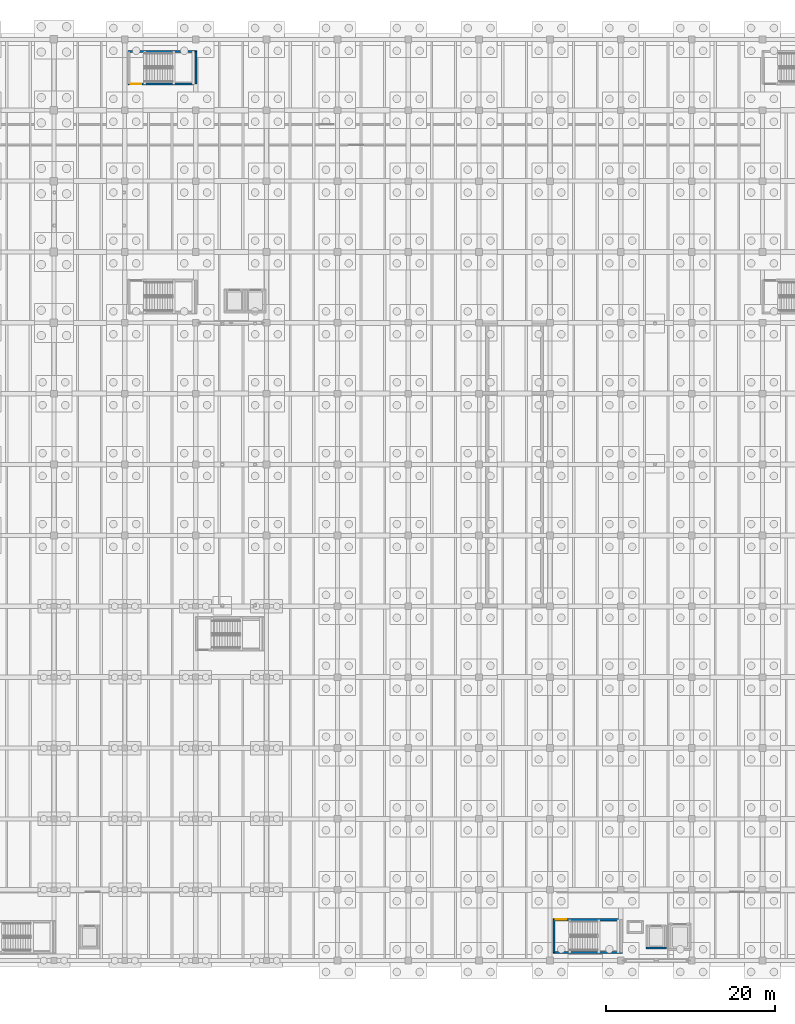
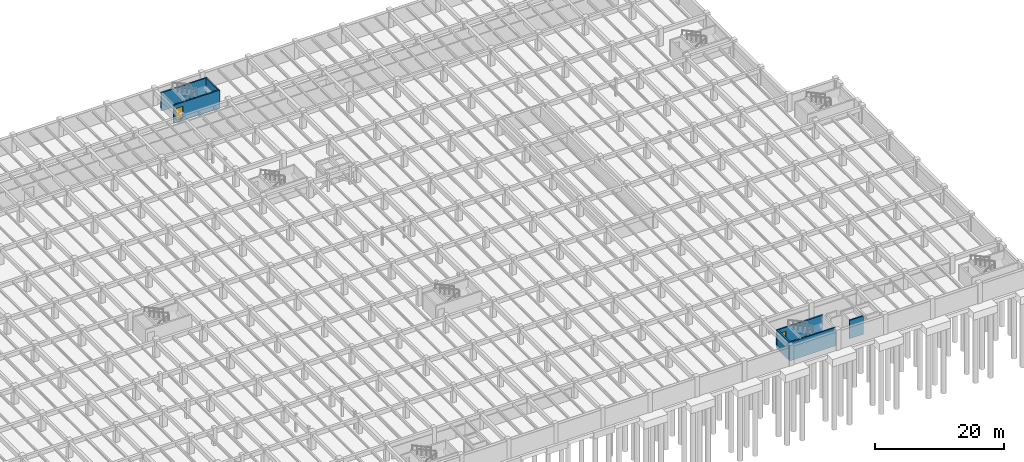
# One storey, part 50 of 70: 7 walls, 2 doors, 2 openings.
"""IFC4 building model written with IfcOpenShell, lengths in metres."""

from ifc_helpers import new_model, si_unit, direction, frame, frame_2d, origin, place, context, subcontext, project, spatial, rectangle, extrude, material, layer, layer_set, type_object, element, fill, save


model = new_model("IFC4")

# Units and contexts
model_context = context("Model", 3, precision=1e-05, world=origin(), true_north=direction((0.0, 1.0)))
body_context = subcontext(model_context, "Body", "Model", "MODEL_VIEW")
ifc_project = project(units=[si_unit("LENGTHUNIT", "METRE"), si_unit("AREAUNIT", "SQUARE_METRE"), si_unit("VOLUMEUNIT", "CUBIC_METRE"), si_unit("PLANEANGLEUNIT", "RADIAN"), si_unit("MASSUNIT", "GRAM", prefix="KILO")], contexts=[model_context])

# Site, building, storey
site_placement = place(None, origin())
site = spatial("IfcSite", under=ifc_project, at=site_placement, CompositionType="ELEMENT")
building_placement = place(site_placement, origin())
building = spatial("IfcBuilding", under=site, at=building_placement, Name="Cumbredor Promenade Congress Hotel", CompositionType="ELEMENT")
storey_placement = place(building_placement, frame((0.0, 0.0, -7.56005859375)))
storey = spatial("IfcBuildingStorey", under=building, at=storey_placement, Name="B02", CompositionType="ELEMENT", Elevation=-7.56005859375)

# Wall
ifc_material_1 = material(Name="Concrete C40/50", Category="concrete")
ifc_layer = layer(ifc_material_1, 0.2548828125, Name="Concrete C40/50", Category="concrete")
ifc_layer_set = layer_set([ifc_layer], Name="Concrete C40/50")
wall_type = type_object("IfcWallType", Name="WL-SHAFT-250", PredefinedType="SOLIDWALL", material=ifc_layer_set)
wall_1_placement = place(storey_placement, frame((143.152587890625, 9.3798828125, -0.5), z_axis=(0.0, 0.0, 1.0), x_axis=(1.0, 0.0, 0.0)))
element("IfcWall", 1, at=wall_1_placement, inside=storey, type_object=wall_type, Name="STAIR-ST-08-B02 Shaft Wall South", PredefinedType="SOLIDWALL", context=body_context, shape_type="SweptSolid", body=[
    extrude(rectangle(XDim=8.224853515625, YDim=0.2548828125, at=frame_2d((4.1123046875, 0.0))), origin(), (0.0, 0.0, 1.0), 3.4599609375),
])

# Wall, opening, door
wall_2_placement = place(storey_placement, frame((143.152587890625, 13.25, -0.5), z_axis=(0.0, 0.0, 1.0), x_axis=(1.0, 0.0, 0.0)))
wall_2 = element("IfcWall", 2, at=wall_2_placement, inside=storey, type_object=wall_type, Name="STAIR-ST-08-B02 Shaft Wall North", PredefinedType="SOLIDWALL", context=body_context, shape_type="SweptSolid", body=[
    extrude(rectangle(XDim=8.224853515625, YDim=0.2548828125, at=frame_2d((4.1123046875, 0.0))), origin(), (0.0, 0.0, 1.0), 3.4599609375),
])
opening_1_placement = place(wall_2_placement, frame((0.35009765625, 0.0, 0.5)))
opening_1 = element("IfcOpeningElement", 3, at=opening_1_placement, cuts=wall_2, Name="Opening SD-02", PredefinedType="OPENING", context=body_context, shape_type="SweptSolid", body=[
    extrude(rectangle(XDim=1.25, YDim=2.199951171875, at=frame_2d((0.625, 1.10009765625))), frame((0.0, 0.137451171875, 0.0), z_axis=(0.0, -1.0, 0.0), x_axis=(1.0, 0.0, 0.0)), (0.0, 0.0, 1.0), 0.27490234375),
])
ifc_material_2 = material(Name="Painted galvanized steel fire door", Category="steel")
door_type = type_object("IfcDoorType", Name="DR-STAIR-FD90-1250", OperationType="NOTDEFINED", PredefinedType="DOOR", material=ifc_material_2)
door_1_placement = place(opening_1_placement, origin())
door_1 = element("IfcDoor", 4, at=door_1_placement, inside=storey, type_object=door_type, Name="B02 Protected Exit Stair ST-08 Door", OperationType="SINGLE_SWING_LEFT", OverallHeight=2.199951171875, OverallWidth=1.25, PredefinedType="DOOR", context=body_context, shape_type="SweptSolid", body=[
    extrude(rectangle(XDim=1.25, YDim=2.199951171875, at=frame_2d((0.625, 1.10009765625))), frame((0.0, 0.02490234375, 0.0), z_axis=(0.0, -1.0, 0.0), x_axis=(1.0, 0.0, 0.0)), (0.0, 0.0, 1.0), 0.050048828125),
])
fill(opening_1, door_1)

# Wall
wall_3_placement = place(storey_placement, frame((143.280029296875, 9.3798828125, -0.5), z_axis=(0.0, 0.0, 1.0), x_axis=(0.0, 1.0, 0.0)))
element("IfcWall", 5, at=wall_3_placement, inside=storey, type_object=wall_type, Name="STAIR-ST-08-B02 Shaft Wall West", PredefinedType="SOLIDWALL", context=body_context, shape_type="SweptSolid", body=[
    extrude(rectangle(XDim=3.8701171875, YDim=0.2548828125, at=frame_2d((1.93505859375, 0.0))), origin(), (0.0, 0.0, 1.0), 3.4599609375),
])

# Wall, opening, door
wall_4_placement = place(storey_placement, frame((92.75244140625, 112.300048828125, -0.5), z_axis=(0.0, 0.0, 1.0), x_axis=(1.0, 0.0, 0.0)))
wall_4 = element("IfcWall", 6, at=wall_4_placement, inside=storey, type_object=wall_type, Name="STAIR-ST-15-B02 Shaft Wall South", PredefinedType="SOLIDWALL", context=body_context, shape_type="SweptSolid", body=[
    extrude(rectangle(XDim=8.22509765625, YDim=0.2548828125, at=frame_2d((4.112548828125, 0.0))), origin(), (0.0, 0.0, 1.0), 3.4599609375),
])
opening_2_placement = place(wall_4_placement, frame((0.35009765625, 0.0, 0.5)))
opening_2 = element("IfcOpeningElement", 7, at=opening_2_placement, cuts=wall_4, Name="Opening SD-02", PredefinedType="OPENING", context=body_context, shape_type="SweptSolid", body=[
    extrude(rectangle(XDim=1.25, YDim=2.199951171875, at=frame_2d((0.625, 1.10009765625))), frame((0.0, 0.137451171875, 0.0), z_axis=(0.0, -1.0, 0.0), x_axis=(1.0, 0.0, 0.0)), (0.0, 0.0, 1.0), 0.27490234375),
])
door_2_placement = place(opening_2_placement, origin())
door_2 = element("IfcDoor", 8, at=door_2_placement, inside=storey, type_object=door_type, Name="B02 Protected Exit Stair ST-15 Door", OperationType="SINGLE_SWING_RIGHT", OverallHeight=2.199951171875, OverallWidth=1.25, PredefinedType="DOOR", context=body_context, shape_type="SweptSolid", body=[
    extrude(rectangle(XDim=1.25, YDim=2.199951171875, at=frame_2d((0.625, 1.10009765625))), frame((0.0, 0.02490234375, 0.0), z_axis=(0.0, -1.0, 0.0), x_axis=(1.0, 0.0, 0.0)), (0.0, 0.0, 1.0), 0.050048828125),
])
fill(opening_2, door_2)

# Walls
wall_5_placement = place(storey_placement, frame((92.75244140625, 116.14990234375, -0.5), z_axis=(0.0, 0.0, 1.0), x_axis=(1.0, 0.0, 0.0)))
element("IfcWall", 9, at=wall_5_placement, inside=storey, type_object=wall_type, Name="STAIR-ST-15-B02 Shaft Wall North", PredefinedType="SOLIDWALL", context=body_context, shape_type="SweptSolid", body=[
    extrude(rectangle(XDim=8.22509765625, YDim=0.2548828125, at=frame_2d((4.112548828125, 0.0))), origin(), (0.0, 0.0, 1.0), 3.4599609375),
])
wall_6_placement = place(storey_placement, frame((100.85009765625, 112.300048828125, -0.5), z_axis=(0.0, 0.0, 1.0), x_axis=(0.0, 1.0, 0.0)))
element("IfcWall", 10, at=wall_6_placement, inside=storey, type_object=wall_type, Name="STAIR-ST-15-B02 Shaft Wall East", PredefinedType="SOLIDWALL", context=body_context, shape_type="SweptSolid", body=[
    extrude(rectangle(XDim=3.849853515625, YDim=0.2548828125, at=frame_2d((1.9248046875, 0.0))), origin(), (0.0, 0.0, 1.0), 3.4599609375),
])
wall_7_placement = place(storey_placement, frame((154.172607421875, 9.89990234375, -0.5), z_axis=(0.0, 0.0, 1.0), x_axis=(1.0, 0.0, 0.0)))
element("IfcWall", 11, at=wall_7_placement, inside=storey, type_object=wall_type, Name="SHAFT-PL-07-B02 Shaft Wall South", PredefinedType="SOLIDWALL", context=body_context, shape_type="SweptSolid", body=[
    extrude(rectangle(XDim=2.454833984375, YDim=0.2548828125, at=frame_2d((1.2275390625, 0.0))), origin(), (0.0, 0.0, 1.0), 3.4599609375),
])

save(model, "model.ifc")
